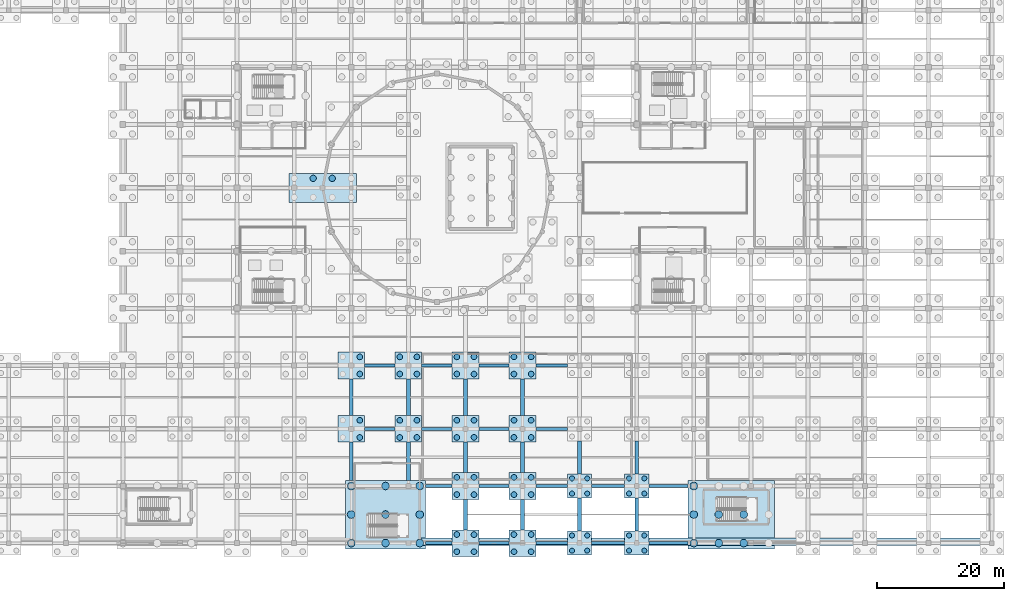
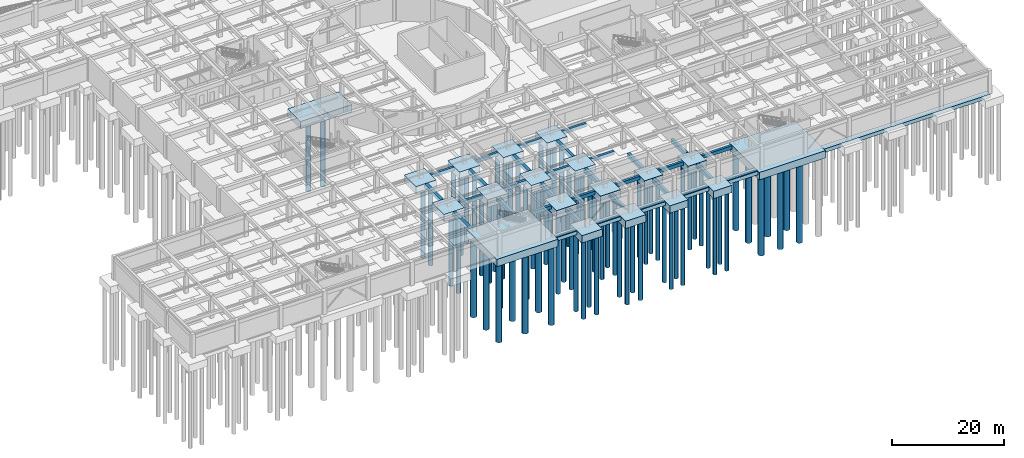
# One storey, part 3 of 62: 78 piles, 52 footings.
"""IFC4 building model written with IfcOpenShell, lengths in metres."""

from ifc_helpers import new_model, si_unit, direction, frame, origin, origin_2d, place, context, subcontext, project, spatial, polyline, rectangle, circle, outline, extrude, material, material_profile, profile_set, type_object, element, save


model = new_model("IFC4")

# Units and contexts
model_context = context("Model", 3, precision=1e-05, world=origin(), true_north=direction((0.0, 1.0)))
body_context = subcontext(model_context, "Body", "Model", "MODEL_VIEW")
ifc_project = project(units=[si_unit("LENGTHUNIT", "METRE"), si_unit("AREAUNIT", "SQUARE_METRE"), si_unit("VOLUMEUNIT", "CUBIC_METRE"), si_unit("PLANEANGLEUNIT", "RADIAN"), si_unit("MASSUNIT", "GRAM", prefix="KILO")], contexts=[model_context])

# Site, building, storey
site_placement = place(None, origin())
site = spatial("IfcSite", under=ifc_project, at=site_placement, CompositionType="ELEMENT")
building_placement = place(site_placement, origin())
building = spatial("IfcBuilding", under=site, at=building_placement, Name="Miravela Opera House", CompositionType="ELEMENT")
storey_placement = place(building_placement, frame((0.0, 0.0, -5.10009765625)))
storey = spatial("IfcBuildingStorey", under=building, at=storey_placement, Name="B01", CompositionType="ELEMENT", Elevation=-5.10009765625)

# Footings
ifc_material = material(Name="Concrete C35/45", Category="concrete")
footing_type_1 = type_object("IfcFootingType", Name="STR-GB-500X750", PredefinedType="FOOTING_BEAM", material=ifc_material)
footing_1_placement = place(storey_placement, frame((0.0, 0.0, -0.75)))
element("IfcFooting", 1, at=footing_1_placement, inside=storey, type_object=footing_type_1, Name="Seismic Grade Tie Beam GB-X-186", PredefinedType="FOOTING_BEAM", context=body_context, shape_type="SweptSolid", body=[
    extrude(outline(polyline([(74.699951171875, -0.25), (78.89990234375, -0.25), (78.89990234375, 0.25), (74.699951171875, 0.25), (74.699951171875, -0.25)])), origin(), (0.0, 0.0, 1.0), 0.75),
])
footing_2_placement = place(storey_placement, frame((0.0, 0.0, -0.75)))
element("IfcFooting", 2, at=footing_2_placement, inside=storey, type_object=footing_type_1, Name="Seismic Grade Tie Beam GB-X-187", PredefinedType="FOOTING_BEAM", context=body_context, shape_type="SweptSolid", body=[
    extrude(outline(polyline([(83.10009765625, -0.25), (87.89990234375, -0.25), (87.89990234375, 0.25), (83.10009765625, 0.25), (83.10009765625, -0.25)])), origin(), (0.0, 0.0, 1.0), 0.75),
])
footing_3_placement = place(storey_placement, frame((0.0, 0.0, -0.75)))
element("IfcFooting", 3, at=footing_3_placement, inside=storey, type_object=footing_type_1, Name="Seismic Grade Tie Beam GB-X-188", PredefinedType="FOOTING_BEAM", context=body_context, shape_type="SweptSolid", body=[
    extrude(outline(polyline([(92.10009765625, -0.25), (97.10009765625, -0.25), (97.10009765625, 0.25), (92.10009765625, 0.25), (92.10009765625, -0.25)])), origin(), (0.0, 0.0, 1.0), 0.75),
])
footing_4_placement = place(storey_placement, frame((0.0, 0.0, -0.75)))
element("IfcFooting", 4, at=footing_4_placement, inside=storey, type_object=footing_type_1, Name="Seismic Grade Tie Beam GB-X-189", PredefinedType="FOOTING_BEAM", context=body_context, shape_type="SweptSolid", body=[
    extrude(outline(polyline([(100.89990234375, -0.25), (106.10009765625, -0.25), (106.10009765625, 0.25), (100.89990234375, 0.25), (100.89990234375, -0.25)])), origin(), (0.0, 0.0, 1.0), 0.75),
])
footing_5_placement = place(storey_placement, frame((0.0, 0.0, -0.75)))
element("IfcFooting", 5, at=footing_5_placement, inside=storey, type_object=footing_type_1, Name="Seismic Grade Tie Beam GB-X-190", PredefinedType="FOOTING_BEAM", context=body_context, shape_type="SweptSolid", body=[
    extrude(outline(polyline([(109.89990234375, -0.25), (116.10009765625, -0.25), (116.10009765625, 0.25), (109.89990234375, 0.25), (109.89990234375, -0.25)])), origin(), (0.0, 0.0, 1.0), 0.75),
])
footing_6_placement = place(storey_placement, frame((0.0, 0.0, -0.75)))
element("IfcFooting", 6, at=footing_6_placement, inside=storey, type_object=footing_type_1, Name="Seismic Grade Tie Beam GB-X-201", PredefinedType="FOOTING_BEAM", context=body_context, shape_type="SweptSolid", body=[
    extrude(outline(polyline([(74.699951171875, 8.75), (78.89990234375, 8.75), (78.89990234375, 9.25), (74.699951171875, 9.25), (74.699951171875, 8.75)])), origin(), (0.0, 0.0, 1.0), 0.75),
])
footing_7_placement = place(storey_placement, frame((0.0, 0.0, -0.75)))
element("IfcFooting", 7, at=footing_7_placement, inside=storey, type_object=footing_type_1, Name="Seismic Grade Tie Beam GB-X-202", PredefinedType="FOOTING_BEAM", context=body_context, shape_type="SweptSolid", body=[
    extrude(outline(polyline([(83.10009765625, 8.75), (87.89990234375, 8.75), (87.89990234375, 9.25), (83.10009765625, 9.25), (83.10009765625, 8.75)])), origin(), (0.0, 0.0, 1.0), 0.75),
])
footing_8_placement = place(storey_placement, frame((0.0, 0.0, -0.75)))
element("IfcFooting", 8, at=footing_8_placement, inside=storey, type_object=footing_type_1, Name="Seismic Grade Tie Beam GB-X-203", PredefinedType="FOOTING_BEAM", context=body_context, shape_type="SweptSolid", body=[
    extrude(outline(polyline([(92.10009765625, 8.75), (97.10009765625, 8.75), (97.10009765625, 9.25), (92.10009765625, 9.25), (92.10009765625, 8.75)])), origin(), (0.0, 0.0, 1.0), 0.75),
])
footing_9_placement = place(storey_placement, frame((0.0, 0.0, -0.75)))
element("IfcFooting", 9, at=footing_9_placement, inside=storey, type_object=footing_type_1, Name="Seismic Grade Tie Beam GB-X-204", PredefinedType="FOOTING_BEAM", context=body_context, shape_type="SweptSolid", body=[
    extrude(outline(polyline([(100.89990234375, 8.75), (106.10009765625, 8.75), (106.10009765625, 9.25), (100.89990234375, 9.25), (100.89990234375, 8.75)])), origin(), (0.0, 0.0, 1.0), 0.75),
])
footing_10_placement = place(storey_placement, frame((0.0, 0.0, -0.75)))
element("IfcFooting", 10, at=footing_10_placement, inside=storey, type_object=footing_type_1, Name="Seismic Grade Tie Beam GB-X-205", PredefinedType="FOOTING_BEAM", context=body_context, shape_type="SweptSolid", body=[
    extrude(outline(polyline([(109.89990234375, 8.75), (116.10009765625, 8.75), (116.10009765625, 9.25), (109.89990234375, 9.25), (109.89990234375, 8.75)])), origin(), (0.0, 0.0, 1.0), 0.75),
])
footing_11_placement = place(storey_placement, frame((0.0, 0.0, -0.75)))
element("IfcFooting", 11, at=footing_11_placement, inside=storey, type_object=footing_type_1, Name="Seismic Grade Tie Beam GB-X-217", PredefinedType="FOOTING_BEAM", context=body_context, shape_type="SweptSolid", body=[
    extrude(outline(polyline([(65.10009765625, 17.75), (69.89990234375, 17.75), (69.89990234375, 18.25), (65.10009765625, 18.25), (65.10009765625, 17.75)])), origin(), (0.0, 0.0, 1.0), 0.75),
])
footing_12_placement = place(storey_placement, frame((0.0, 0.0, -0.75)))
element("IfcFooting", 12, at=footing_12_placement, inside=storey, type_object=footing_type_1, Name="Seismic Grade Tie Beam GB-X-218", PredefinedType="FOOTING_BEAM", context=body_context, shape_type="SweptSolid", body=[
    extrude(outline(polyline([(74.10009765625, 17.75), (78.89990234375, 17.75), (78.89990234375, 18.25), (74.10009765625, 18.25), (74.10009765625, 17.75)])), origin(), (0.0, 0.0, 1.0), 0.75),
])
footing_13_placement = place(storey_placement, frame((0.0, 0.0, -0.75)))
element("IfcFooting", 13, at=footing_13_placement, inside=storey, type_object=footing_type_1, Name="Seismic Grade Tie Beam GB-X-219", PredefinedType="FOOTING_BEAM", context=body_context, shape_type="SweptSolid", body=[
    extrude(outline(polyline([(83.10009765625, 17.75), (87.89990234375, 17.75), (87.89990234375, 18.25), (83.10009765625, 18.25), (83.10009765625, 17.75)])), origin(), (0.0, 0.0, 1.0), 0.75),
])
footing_14_placement = place(storey_placement, frame((0.0, 0.0, -0.75)))
element("IfcFooting", 14, at=footing_14_placement, inside=storey, type_object=footing_type_1, Name="Seismic Grade Tie Beam GB-X-220", PredefinedType="FOOTING_BEAM", context=body_context, shape_type="SweptSolid", body=[
    extrude(outline(polyline([(92.10009765625, 17.75), (97.10009765625, 17.75), (97.10009765625, 18.25), (92.10009765625, 18.25), (92.10009765625, 17.75)])), origin(), (0.0, 0.0, 1.0), 0.75),
])
footing_15_placement = place(storey_placement, frame((0.0, 0.0, -0.75)))
element("IfcFooting", 15, at=footing_15_placement, inside=storey, type_object=footing_type_1, Name="Seismic Grade Tie Beam GB-X-235", PredefinedType="FOOTING_BEAM", context=body_context, shape_type="SweptSolid", body=[
    extrude(outline(polyline([(65.10009765625, 27.75), (69.89990234375, 27.75), (69.89990234375, 28.25), (65.10009765625, 28.25), (65.10009765625, 27.75)])), origin(), (0.0, 0.0, 1.0), 0.75),
])
footing_16_placement = place(storey_placement, frame((0.0, 0.0, -0.75)))
element("IfcFooting", 16, at=footing_16_placement, inside=storey, type_object=footing_type_1, Name="Seismic Grade Tie Beam GB-X-236", PredefinedType="FOOTING_BEAM", context=body_context, shape_type="SweptSolid", body=[
    extrude(outline(polyline([(74.10009765625, 27.75), (78.89990234375, 27.75), (78.89990234375, 28.25), (74.10009765625, 28.25), (74.10009765625, 27.75)])), origin(), (0.0, 0.0, 1.0), 0.75),
])
footing_17_placement = place(storey_placement, frame((0.0, 0.0, -0.75)))
element("IfcFooting", 17, at=footing_17_placement, inside=storey, type_object=footing_type_1, Name="Seismic Grade Tie Beam GB-X-237", PredefinedType="FOOTING_BEAM", context=body_context, shape_type="SweptSolid", body=[
    extrude(outline(polyline([(83.10009765625, 27.75), (87.89990234375, 27.75), (87.89990234375, 28.25), (83.10009765625, 28.25), (83.10009765625, 27.75)])), origin(), (0.0, 0.0, 1.0), 0.75),
])
footing_18_placement = place(storey_placement, frame((0.0, 0.0, -0.75)))
element("IfcFooting", 18, at=footing_18_placement, inside=storey, type_object=footing_type_1, Name="Seismic Grade Tie Beam GB-X-238", PredefinedType="FOOTING_BEAM", context=body_context, shape_type="SweptSolid", body=[
    extrude(outline(polyline([(92.10009765625, 27.75), (97.10009765625, 27.75), (97.10009765625, 28.25), (92.10009765625, 28.25), (92.10009765625, 27.75)])), origin(), (0.0, 0.0, 1.0), 0.75),
])
footing_type_2 = type_object("IfcFootingType", Name="STR-GB-600X800", PredefinedType="FOOTING_BEAM", material=ifc_material)
footing_19_placement = place(storey_placement, frame((0.0, 0.0, -0.7998046875)))
element("IfcFooting", 19, at=footing_19_placement, inside=storey, type_object=footing_type_2, Name="Seismic Grade Tie Beam GB-Y-061", PredefinedType="FOOTING_BEAM", context=body_context, shape_type="SweptSolid", body=[
    extrude(outline(polyline([(62.699951171875, 9.89990234375), (63.300048828125, 9.89990234375), (63.300048828125, 15.89990234375), (62.699951171875, 15.89990234375), (62.699951171875, 9.89990234375)])), origin(), (0.0, 0.0, 1.0), 0.7998046875),
])
footing_20_placement = place(storey_placement, frame((0.0, 0.0, -0.7998046875)))
element("IfcFooting", 20, at=footing_20_placement, inside=storey, type_object=footing_type_2, Name="Seismic Grade Tie Beam GB-Y-062", PredefinedType="FOOTING_BEAM", context=body_context, shape_type="SweptSolid", body=[
    extrude(outline(polyline([(62.699951171875, 20.10009765625), (63.300048828125, 20.10009765625), (63.300048828125, 25.89990234375), (62.699951171875, 25.89990234375), (62.699951171875, 20.10009765625)])), origin(), (0.0, 0.0, 1.0), 0.7998046875),
])
footing_21_placement = place(storey_placement, frame((0.0, 0.0, -0.7998046875)))
element("IfcFooting", 21, at=footing_21_placement, inside=storey, type_object=footing_type_2, Name="Seismic Grade Tie Beam GB-Y-071", PredefinedType="FOOTING_BEAM", context=body_context, shape_type="SweptSolid", body=[
    extrude(outline(polyline([(71.699951171875, 9.89990234375), (72.300048828125, 9.89990234375), (72.300048828125, 15.89990234375), (71.699951171875, 15.89990234375), (71.699951171875, 9.89990234375)])), origin(), (0.0, 0.0, 1.0), 0.7998046875),
])
footing_22_placement = place(storey_placement, frame((0.0, 0.0, -0.7998046875)))
element("IfcFooting", 22, at=footing_22_placement, inside=storey, type_object=footing_type_2, Name="Seismic Grade Tie Beam GB-Y-072", PredefinedType="FOOTING_BEAM", context=body_context, shape_type="SweptSolid", body=[
    extrude(outline(polyline([(71.699951171875, 20.10009765625), (72.300048828125, 20.10009765625), (72.300048828125, 25.89990234375), (71.699951171875, 25.89990234375), (71.699951171875, 20.10009765625)])), origin(), (0.0, 0.0, 1.0), 0.7998046875),
])
footing_23_placement = place(storey_placement, frame((0.0, 0.0, -0.7998046875)))
element("IfcFooting", 23, at=footing_23_placement, inside=storey, type_object=footing_type_2, Name="Seismic Grade Tie Beam GB-Y-081", PredefinedType="FOOTING_BEAM", context=body_context, shape_type="SweptSolid", body=[
    extrude(outline(polyline([(80.699951171875, 2.10009765625), (81.300048828125, 2.10009765625), (81.300048828125, 6.89990234375), (80.699951171875, 6.89990234375), (80.699951171875, 2.10009765625)])), origin(), (0.0, 0.0, 1.0), 0.7998046875),
])
footing_24_placement = place(storey_placement, frame((0.0, 0.0, -0.7998046875)))
element("IfcFooting", 24, at=footing_24_placement, inside=storey, type_object=footing_type_2, Name="Seismic Grade Tie Beam GB-Y-082", PredefinedType="FOOTING_BEAM", context=body_context, shape_type="SweptSolid", body=[
    extrude(outline(polyline([(80.699951171875, 11.10009765625), (81.300048828125, 11.10009765625), (81.300048828125, 15.89990234375), (80.699951171875, 15.89990234375), (80.699951171875, 11.10009765625)])), origin(), (0.0, 0.0, 1.0), 0.7998046875),
])
footing_25_placement = place(storey_placement, frame((0.0, 0.0, -0.7998046875)))
element("IfcFooting", 25, at=footing_25_placement, inside=storey, type_object=footing_type_2, Name="Seismic Grade Tie Beam GB-Y-083", PredefinedType="FOOTING_BEAM", context=body_context, shape_type="SweptSolid", body=[
    extrude(outline(polyline([(80.699951171875, 20.10009765625), (81.300048828125, 20.10009765625), (81.300048828125, 25.89990234375), (80.699951171875, 25.89990234375), (80.699951171875, 20.10009765625)])), origin(), (0.0, 0.0, 1.0), 0.7998046875),
])
footing_26_placement = place(storey_placement, frame((0.0, 0.0, -0.7998046875)))
element("IfcFooting", 26, at=footing_26_placement, inside=storey, type_object=footing_type_2, Name="Seismic Grade Tie Beam GB-Y-088", PredefinedType="FOOTING_BEAM", context=body_context, shape_type="SweptSolid", body=[
    extrude(outline(polyline([(89.699951171875, 2.10009765625), (90.300048828125, 2.10009765625), (90.300048828125, 6.89990234375), (89.699951171875, 6.89990234375), (89.699951171875, 2.10009765625)])), origin(), (0.0, 0.0, 1.0), 0.7998046875),
])
footing_27_placement = place(storey_placement, frame((0.0, 0.0, -0.7998046875)))
element("IfcFooting", 27, at=footing_27_placement, inside=storey, type_object=footing_type_2, Name="Seismic Grade Tie Beam GB-Y-089", PredefinedType="FOOTING_BEAM", context=body_context, shape_type="SweptSolid", body=[
    extrude(outline(polyline([(89.699951171875, 11.10009765625), (90.300048828125, 11.10009765625), (90.300048828125, 15.89990234375), (89.699951171875, 15.89990234375), (89.699951171875, 11.10009765625)])), origin(), (0.0, 0.0, 1.0), 0.7998046875),
])
footing_28_placement = place(storey_placement, frame((0.0, 0.0, -0.7998046875)))
element("IfcFooting", 28, at=footing_28_placement, inside=storey, type_object=footing_type_2, Name="Seismic Grade Tie Beam GB-Y-090", PredefinedType="FOOTING_BEAM", context=body_context, shape_type="SweptSolid", body=[
    extrude(outline(polyline([(89.699951171875, 20.10009765625), (90.300048828125, 20.10009765625), (90.300048828125, 25.89990234375), (89.699951171875, 25.89990234375), (89.699951171875, 20.10009765625)])), origin(), (0.0, 0.0, 1.0), 0.7998046875),
])
footing_29_placement = place(storey_placement, frame((0.0, 0.0, -0.7998046875)))
element("IfcFooting", 29, at=footing_29_placement, inside=storey, type_object=footing_type_2, Name="Seismic Grade Tie Beam GB-Y-098", PredefinedType="FOOTING_BEAM", context=body_context, shape_type="SweptSolid", body=[
    extrude(outline(polyline([(98.699951171875, 1.89990234375), (99.300048828125, 1.89990234375), (99.300048828125, 7.10009765625), (98.699951171875, 7.10009765625), (98.699951171875, 1.89990234375)])), origin(), (0.0, 0.0, 1.0), 0.7998046875),
])
footing_30_placement = place(storey_placement, frame((0.0, 0.0, -0.7998046875)))
element("IfcFooting", 30, at=footing_30_placement, inside=storey, type_object=footing_type_2, Name="Seismic Grade Tie Beam GB-Y-099", PredefinedType="FOOTING_BEAM", context=body_context, shape_type="SweptSolid", body=[
    extrude(outline(polyline([(98.699951171875, 10.89990234375), (99.300048828125, 10.89990234375), (99.300048828125, 16.10009765625), (98.699951171875, 16.10009765625), (98.699951171875, 10.89990234375)])), origin(), (0.0, 0.0, 1.0), 0.7998046875),
])
footing_31_placement = place(storey_placement, frame((0.0, 0.0, -0.7998046875)))
element("IfcFooting", 31, at=footing_31_placement, inside=storey, type_object=footing_type_2, Name="Seismic Grade Tie Beam GB-Y-110", PredefinedType="FOOTING_BEAM", context=body_context, shape_type="SweptSolid", body=[
    extrude(outline(polyline([(107.699951171875, 1.89990234375), (108.300048828125, 1.89990234375), (108.300048828125, 7.10009765625), (107.699951171875, 7.10009765625), (107.699951171875, 1.89990234375)])), origin(), (0.0, 0.0, 1.0), 0.7998046875),
])
footing_32_placement = place(storey_placement, frame((0.0, 0.0, -0.7998046875)))
element("IfcFooting", 32, at=footing_32_placement, inside=storey, type_object=footing_type_2, Name="Seismic Grade Tie Beam GB-Y-111", PredefinedType="FOOTING_BEAM", context=body_context, shape_type="SweptSolid", body=[
    extrude(outline(polyline([(107.699951171875, 10.89990234375), (108.300048828125, 10.89990234375), (108.300048828125, 16.10009765625), (107.699951171875, 16.10009765625), (107.699951171875, 10.89990234375)])), origin(), (0.0, 0.0, 1.0), 0.7998046875),
])
footing_type_3 = type_object("IfcFootingType", Name="STR-PC-10600X4600X1600", PredefinedType="PILE_CAP", material=ifc_material)
footing_33_placement = place(storey_placement, frame((58.5, 56.0, -1.599853515625), z_axis=(0.0, 0.0, 1.0), x_axis=(1.0, 0.0, 0.0)))
element("IfcFooting", 33, at=footing_33_placement, inside=storey, type_object=footing_type_3, Name="Pile Cap PC-B01-063 (PC-05)", PredefinedType="PILE_CAP", context=body_context, shape_type="SweptSolid", body=[
    extrude(rectangle(XDim=10.60009765625, YDim=4.60009765625, at=origin_2d()), origin(), (0.0, 0.0, 1.0), 1.60009765625),
])
footing_type_4 = type_object("IfcFootingType", Name="STR-PC-12600X10800X1600", PredefinedType="PILE_CAP", material=ifc_material)
footing_34_placement = place(storey_placement, frame((68.39990234375, 4.5, -1.599853515625), z_axis=(0.0, 0.0, 1.0), x_axis=(1.0, 0.0, 0.0)))
element("IfcFooting", 34, at=footing_34_placement, inside=storey, type_object=footing_type_4, Name="Pile Cap PC-B01-068 (PC-03)", PredefinedType="PILE_CAP", context=body_context, shape_type="SweptSolid", body=[
    extrude(rectangle(XDim=12.60009765625, YDim=10.800048828125, at=origin_2d()), origin(), (0.0, 0.0, 1.0), 1.60009765625),
])
footing_type_5 = type_object("IfcFootingType", Name="STR-PC-13600X10800X1600", PredefinedType="PILE_CAP", material=ifc_material)
footing_35_placement = place(storey_placement, frame((122.89990234375, 4.5, -1.599853515625), z_axis=(0.0, 0.0, 1.0), x_axis=(1.0, 0.0, 0.0)))
element("IfcFooting", 35, at=footing_35_placement, inside=storey, type_object=footing_type_5, Name="Pile Cap PC-B01-134 (PC-09)", PredefinedType="PILE_CAP", context=body_context, shape_type="SweptSolid", body=[
    extrude(rectangle(XDim=13.60009765625, YDim=10.800048828125, at=origin_2d()), origin(), (0.0, 0.0, 1.0), 1.60009765625),
])
footing_type_6 = type_object("IfcFootingType", Name="STR-PC-3800X3800X1600", PredefinedType="PILE_CAP", material=ifc_material)
for number, where, z_axis, x_axis, name in (
    (36, (99.0, 0.0, -1.599853515625), (0.0, 0.0, 1.0), (1.0, 0.0, 0.0), "Pile Cap PC-B01-111 (PC-01)"),
    (37, (99.0, 9.0, -1.599853515625), (0.0, 0.0, 1.0), (1.0, 0.0, 0.0), "Pile Cap PC-B01-112 (PC-01)"),
    (38, (108.0, 0.0, -1.599853515625), (0.0, 0.0, 1.0), (1.0, 0.0, 0.0), "Pile Cap PC-B01-124 (PC-01)"),
    (39, (108.0, 9.0, -1.599853515625), (0.0, 0.0, 1.0), (1.0, 0.0, 0.0), "Pile Cap PC-B01-125 (PC-01)"),
):
    element("IfcFooting", number, at=place(storey_placement, frame(where, z_axis=z_axis, x_axis=x_axis)), inside=storey, type_object=footing_type_6, Name=name, PredefinedType="PILE_CAP", context=body_context, shape_type="SweptSolid", body=[
        extrude(rectangle(XDim=3.800048828125, YDim=3.800048828125, at=origin_2d()), origin(), (0.0, 0.0, 1.0), 1.60009765625),
    ])
footing_type_7 = type_object("IfcFootingType", Name="STR-PC-4200X4200X1600", PredefinedType="PILE_CAP", material=ifc_material)
for number, where, z_axis, x_axis, name in (
    (40, (63.0, 18.0, -1.599853515625), (0.0, 0.0, 1.0), (1.0, 0.0, 0.0), "Pile Cap PC-B01-069 (PC-02)"),
    (41, (63.0, 28.0, -1.599853515625), (0.0, 0.0, 1.0), (1.0, 0.0, 0.0), "Pile Cap PC-B01-070 (PC-02)"),
    (42, (72.0, 18.0, -1.599853515625), (0.0, 0.0, 1.0), (1.0, 0.0, 0.0), "Pile Cap PC-B01-077 (PC-02)"),
    (43, (72.0, 28.0, -1.599853515625), (0.0, 0.0, 1.0), (1.0, 0.0, 0.0), "Pile Cap PC-B01-078 (PC-02)"),
    (44, (81.0, 0.0, -1.599853515625), (0.0, 0.0, 1.0), (1.0, 0.0, 0.0), "Pile Cap PC-B01-088 (PC-02)"),
    (45, (81.0, 9.0, -1.599853515625), (0.0, 0.0, 1.0), (1.0, 0.0, 0.0), "Pile Cap PC-B01-089 (PC-02)"),
    (46, (81.0, 18.0, -1.599853515625), (0.0, 0.0, 1.0), (1.0, 0.0, 0.0), "Pile Cap PC-B01-090 (PC-02)"),
    (47, (81.0, 28.0, -1.599853515625), (0.0, 0.0, 1.0), (1.0, 0.0, 0.0), "Pile Cap PC-B01-091 (PC-02)"),
    (48, (90.0, 0.0, -1.599853515625), (0.0, 0.0, 1.0), (1.0, 0.0, 0.0), "Pile Cap PC-B01-099 (PC-02)"),
    (49, (90.0, 9.0, -1.599853515625), (0.0, 0.0, 1.0), (1.0, 0.0, 0.0), "Pile Cap PC-B01-100 (PC-02)"),
    (50, (90.0, 18.0, -1.599853515625), (0.0, 0.0, 1.0), (1.0, 0.0, 0.0), "Pile Cap PC-B01-101 (PC-02)"),
    (51, (90.0, 28.0, -1.599853515625), (0.0, 0.0, 1.0), (1.0, 0.0, 0.0), "Pile Cap PC-B01-102 (PC-02)"),
):
    element("IfcFooting", number, at=place(storey_placement, frame(where, z_axis=z_axis, x_axis=x_axis)), inside=storey, type_object=footing_type_7, Name=name, PredefinedType="PILE_CAP", context=body_context, shape_type="SweptSolid", body=[
        extrude(rectangle(XDim=4.199951171875, YDim=4.199951171875, at=origin_2d()), origin(), (0.0, 0.0, 1.0), 1.60009765625),
    ])

# Piles
ifc_material_profile_1 = material_profile(ifc_material, circle(Radius=0.5, at=origin_2d()), Name="PILE-D1000")
ifc_profile_set_1 = profile_set([ifc_material_profile_1])
pile_type_1 = type_object("IfcPileType", Name="STR-PILE-D1000", PredefinedType="BORED", material=ifc_profile_set_1)
for number, where, z_axis, x_axis, name in (
    (52, (57.0, 57.5, -1.449951171875), (0.0, 0.0, -1.0), (1.0, 0.0, 0.0), "Bored Pile P-267"),
    (53, (60.0, 57.5, -1.449951171875), (0.0, 0.0, -1.0), (1.0, 0.0, 0.0), "Bored Pile P-269"),
):
    element("IfcPile", number, at=place(storey_placement, frame(where, z_axis=z_axis, x_axis=x_axis)), inside=storey, type_object=pile_type_1, Name=name, PredefinedType="BORED", context=body_context, shape_type="SweptSolid", body=[
        extrude(circle(Radius=0.5, at=origin_2d()), origin(), (0.0, 0.0, 1.0), 17.14990234375),
    ])
ifc_material_profile_2 = material_profile(ifc_material, circle(Radius=0.60009765625, at=origin_2d()), Name="PILE-D1200")
ifc_profile_set_2 = profile_set([ifc_material_profile_2])
pile_type_2 = type_object("IfcPileType", Name="STR-PILE-D1200", PredefinedType="BORED", material=ifc_profile_set_2)
for number, where, z_axis, x_axis, name in (
    (54, (63.0, 0.0, -1.449951171875), (0.0, 0.0, -1.0), (1.0, 0.0, 0.0), "Bored Pile P-288"),
    (55, (63.0, 4.5, -1.449951171875), (0.0, 0.0, -1.0), (1.0, 0.0, 0.0), "Bored Pile P-289"),
    (56, (63.0, 9.0, -1.449951171875), (0.0, 0.0, -1.0), (1.0, 0.0, 0.0), "Bored Pile P-290"),
    (57, (68.39990234375, 0.0, -1.449951171875), (0.0, 0.0, -1.0), (1.0, 0.0, 0.0), "Bored Pile P-291"),
    (58, (68.39990234375, 4.5, -1.449951171875), (0.0, 0.0, -1.0), (1.0, 0.0, 0.0), "Bored Pile P-292"),
    (59, (68.39990234375, 9.0, -1.449951171875), (0.0, 0.0, -1.0), (1.0, 0.0, 0.0), "Bored Pile P-293"),
    (60, (73.800048828125, 0.0, -1.449951171875), (0.0, 0.0, -1.0), (1.0, 0.0, 0.0), "Bored Pile P-294"),
    (61, (73.800048828125, 4.5, -1.449951171875), (0.0, 0.0, -1.0), (1.0, 0.0, 0.0), "Bored Pile P-295"),
    (62, (73.800048828125, 9.0, -1.449951171875), (0.0, 0.0, -1.0), (1.0, 0.0, 0.0), "Bored Pile P-296"),
    (63, (117.0, 0.0, -1.449951171875), (0.0, 0.0, -1.0), (1.0, 0.0, 0.0), "Bored Pile P-584"),
    (64, (117.0, 4.5, -1.449951171875), (0.0, 0.0, -1.0), (1.0, 0.0, 0.0), "Bored Pile P-585"),
    (65, (117.0, 9.0, -1.449951171875), (0.0, 0.0, -1.0), (1.0, 0.0, 0.0), "Bored Pile P-586"),
    (66, (120.933349609375, 0.0, -1.449951171875), (0.0, 0.0, -1.0), (1.0, 0.0, 0.0), "Bored Pile P-587"),
    (67, (120.933349609375, 4.5, -1.449951171875), (0.0, 0.0, -1.0), (1.0, 0.0, 0.0), "Bored Pile P-588"),
    (68, (124.86669921875, 0.0, -1.449951171875), (0.0, 0.0, -1.0), (1.0, 0.0, 0.0), "Bored Pile P-590"),
    (69, (124.86669921875, 4.5, -1.449951171875), (0.0, 0.0, -1.0), (1.0, 0.0, 0.0), "Bored Pile P-591"),
):
    element("IfcPile", number, at=place(storey_placement, frame(where, z_axis=z_axis, x_axis=x_axis)), inside=storey, type_object=pile_type_2, Name=name, PredefinedType="BORED", context=body_context, shape_type="SweptSolid", body=[
        extrude(circle(Radius=0.60009765625, at=origin_2d()), origin(), (0.0, 0.0, 1.0), 17.14990234375),
    ])
ifc_material_profile_3 = material_profile(ifc_material, circle(Radius=0.39990234375, at=origin_2d()), Name="PILE-D800")
ifc_profile_set_3 = profile_set([ifc_material_profile_3])
pile_type_3 = type_object("IfcPileType", Name="STR-PILE-D800", PredefinedType="BORED", material=ifc_profile_set_3)
for number, where, z_axis, x_axis, name in (
    (70, (97.800048828125, -1.199951171875, -1.449951171875), (0.0, 0.0, -1.0), (1.0, 0.0, 0.0), "Bored Pile P-482"),
    (71, (97.800048828125, 1.199951171875, -1.449951171875), (0.0, 0.0, -1.0), (1.0, 0.0, 0.0), "Bored Pile P-483"),
    (72, (100.199951171875, -1.199951171875, -1.449951171875), (0.0, 0.0, -1.0), (1.0, 0.0, 0.0), "Bored Pile P-484"),
    (73, (100.199951171875, 1.199951171875, -1.449951171875), (0.0, 0.0, -1.0), (1.0, 0.0, 0.0), "Bored Pile P-485"),
    (74, (97.800048828125, 7.800048828125, -1.449951171875), (0.0, 0.0, -1.0), (1.0, 0.0, 0.0), "Bored Pile P-486"),
    (75, (97.800048828125, 10.199951171875, -1.449951171875), (0.0, 0.0, -1.0), (1.0, 0.0, 0.0), "Bored Pile P-487"),
    (76, (100.199951171875, 7.800048828125, -1.449951171875), (0.0, 0.0, -1.0), (1.0, 0.0, 0.0), "Bored Pile P-488"),
    (77, (100.199951171875, 10.199951171875, -1.449951171875), (0.0, 0.0, -1.0), (1.0, 0.0, 0.0), "Bored Pile P-489"),
    (78, (106.800048828125, -1.199951171875, -1.449951171875), (0.0, 0.0, -1.0), (1.0, 0.0, 0.0), "Bored Pile P-534"),
    (79, (106.800048828125, 1.199951171875, -1.449951171875), (0.0, 0.0, -1.0), (1.0, 0.0, 0.0), "Bored Pile P-535"),
    (80, (109.199951171875, -1.199951171875, -1.449951171875), (0.0, 0.0, -1.0), (1.0, 0.0, 0.0), "Bored Pile P-536"),
    (81, (109.199951171875, 1.199951171875, -1.449951171875), (0.0, 0.0, -1.0), (1.0, 0.0, 0.0), "Bored Pile P-537"),
    (82, (106.800048828125, 7.800048828125, -1.449951171875), (0.0, 0.0, -1.0), (1.0, 0.0, 0.0), "Bored Pile P-538"),
    (83, (106.800048828125, 10.199951171875, -1.449951171875), (0.0, 0.0, -1.0), (1.0, 0.0, 0.0), "Bored Pile P-539"),
    (84, (109.199951171875, 7.800048828125, -1.449951171875), (0.0, 0.0, -1.0), (1.0, 0.0, 0.0), "Bored Pile P-540"),
    (85, (109.199951171875, 10.199951171875, -1.449951171875), (0.0, 0.0, -1.0), (1.0, 0.0, 0.0), "Bored Pile P-541"),
):
    element("IfcPile", number, at=place(storey_placement, frame(where, z_axis=z_axis, x_axis=x_axis)), inside=storey, type_object=pile_type_3, Name=name, PredefinedType="BORED", context=body_context, shape_type="SweptSolid", body=[
        extrude(circle(Radius=0.39990234375, at=origin_2d()), origin(), (0.0, 0.0, 1.0), 17.14990234375),
    ])
ifc_material_profile_4 = material_profile(ifc_material, circle(Radius=0.449951171875, at=origin_2d()), Name="PILE-D900")
ifc_profile_set_4 = profile_set([ifc_material_profile_4])
pile_type_4 = type_object("IfcPileType", Name="STR-PILE-D900", PredefinedType="BORED", material=ifc_profile_set_4)
for number, where, z_axis, x_axis, name in (
    (86, (64.35009765625, 16.64990234375, -1.449951171875), (0.0, 0.0, -1.0), (1.0, 0.0, 0.0), "Bored Pile P-299"),
    (87, (64.35009765625, 19.35009765625, -1.449951171875), (0.0, 0.0, -1.0), (1.0, 0.0, 0.0), "Bored Pile P-300"),
    (88, (64.35009765625, 26.64990234375, -1.449951171875), (0.0, 0.0, -1.0), (1.0, 0.0, 0.0), "Bored Pile P-303"),
    (89, (64.35009765625, 29.35009765625, -1.449951171875), (0.0, 0.0, -1.0), (1.0, 0.0, 0.0), "Bored Pile P-304"),
    (90, (70.64990234375, 16.64990234375, -1.449951171875), (0.0, 0.0, -1.0), (1.0, 0.0, 0.0), "Bored Pile P-329"),
    (91, (70.64990234375, 19.35009765625, -1.449951171875), (0.0, 0.0, -1.0), (1.0, 0.0, 0.0), "Bored Pile P-330"),
    (92, (73.35009765625, 16.64990234375, -1.449951171875), (0.0, 0.0, -1.0), (1.0, 0.0, 0.0), "Bored Pile P-331"),
    (93, (73.35009765625, 19.35009765625, -1.449951171875), (0.0, 0.0, -1.0), (1.0, 0.0, 0.0), "Bored Pile P-332"),
    (94, (70.64990234375, 26.64990234375, -1.449951171875), (0.0, 0.0, -1.0), (1.0, 0.0, 0.0), "Bored Pile P-333"),
    (95, (70.64990234375, 29.35009765625, -1.449951171875), (0.0, 0.0, -1.0), (1.0, 0.0, 0.0), "Bored Pile P-334"),
    (96, (73.35009765625, 26.64990234375, -1.449951171875), (0.0, 0.0, -1.0), (1.0, 0.0, 0.0), "Bored Pile P-335"),
    (97, (73.35009765625, 29.35009765625, -1.449951171875), (0.0, 0.0, -1.0), (1.0, 0.0, 0.0), "Bored Pile P-336"),
    (98, (79.64990234375, -1.35009765625, -1.449951171875), (0.0, 0.0, -1.0), (1.0, 0.0, 0.0), "Bored Pile P-373"),
    (99, (79.64990234375, 1.35009765625, -1.449951171875), (0.0, 0.0, -1.0), (1.0, 0.0, 0.0), "Bored Pile P-374"),
    (100, (82.35009765625, -1.35009765625, -1.449951171875), (0.0, 0.0, -1.0), (1.0, 0.0, 0.0), "Bored Pile P-375"),
    (101, (82.35009765625, 1.35009765625, -1.449951171875), (0.0, 0.0, -1.0), (1.0, 0.0, 0.0), "Bored Pile P-376"),
    (102, (79.64990234375, 7.64990234375, -1.449951171875), (0.0, 0.0, -1.0), (1.0, 0.0, 0.0), "Bored Pile P-377"),
    (103, (79.64990234375, 10.35009765625, -1.449951171875), (0.0, 0.0, -1.0), (1.0, 0.0, 0.0), "Bored Pile P-378"),
    (104, (82.35009765625, 7.64990234375, -1.449951171875), (0.0, 0.0, -1.0), (1.0, 0.0, 0.0), "Bored Pile P-379"),
    (105, (82.35009765625, 10.35009765625, -1.449951171875), (0.0, 0.0, -1.0), (1.0, 0.0, 0.0), "Bored Pile P-380"),
    (106, (79.64990234375, 16.64990234375, -1.449951171875), (0.0, 0.0, -1.0), (1.0, 0.0, 0.0), "Bored Pile P-381"),
    (107, (79.64990234375, 19.35009765625, -1.449951171875), (0.0, 0.0, -1.0), (1.0, 0.0, 0.0), "Bored Pile P-382"),
    (108, (82.35009765625, 16.64990234375, -1.449951171875), (0.0, 0.0, -1.0), (1.0, 0.0, 0.0), "Bored Pile P-383"),
    (109, (82.35009765625, 19.35009765625, -1.449951171875), (0.0, 0.0, -1.0), (1.0, 0.0, 0.0), "Bored Pile P-384"),
    (110, (79.64990234375, 26.64990234375, -1.449951171875), (0.0, 0.0, -1.0), (1.0, 0.0, 0.0), "Bored Pile P-385"),
    (111, (79.64990234375, 29.35009765625, -1.449951171875), (0.0, 0.0, -1.0), (1.0, 0.0, 0.0), "Bored Pile P-386"),
    (112, (82.35009765625, 26.64990234375, -1.449951171875), (0.0, 0.0, -1.0), (1.0, 0.0, 0.0), "Bored Pile P-387"),
    (113, (82.35009765625, 29.35009765625, -1.449951171875), (0.0, 0.0, -1.0), (1.0, 0.0, 0.0), "Bored Pile P-388"),
    (114, (88.64990234375, -1.35009765625, -1.449951171875), (0.0, 0.0, -1.0), (1.0, 0.0, 0.0), "Bored Pile P-434"),
    (115, (88.64990234375, 1.35009765625, -1.449951171875), (0.0, 0.0, -1.0), (1.0, 0.0, 0.0), "Bored Pile P-435"),
    (116, (91.35009765625, -1.35009765625, -1.449951171875), (0.0, 0.0, -1.0), (1.0, 0.0, 0.0), "Bored Pile P-436"),
    (117, (91.35009765625, 1.35009765625, -1.449951171875), (0.0, 0.0, -1.0), (1.0, 0.0, 0.0), "Bored Pile P-437"),
    (118, (88.64990234375, 7.64990234375, -1.449951171875), (0.0, 0.0, -1.0), (1.0, 0.0, 0.0), "Bored Pile P-438"),
    (119, (88.64990234375, 10.35009765625, -1.449951171875), (0.0, 0.0, -1.0), (1.0, 0.0, 0.0), "Bored Pile P-439"),
    (120, (91.35009765625, 7.64990234375, -1.449951171875), (0.0, 0.0, -1.0), (1.0, 0.0, 0.0), "Bored Pile P-440"),
    (121, (91.35009765625, 10.35009765625, -1.449951171875), (0.0, 0.0, -1.0), (1.0, 0.0, 0.0), "Bored Pile P-441"),
    (122, (88.64990234375, 16.64990234375, -1.449951171875), (0.0, 0.0, -1.0), (1.0, 0.0, 0.0), "Bored Pile P-442"),
    (123, (88.64990234375, 19.35009765625, -1.449951171875), (0.0, 0.0, -1.0), (1.0, 0.0, 0.0), "Bored Pile P-443"),
    (124, (91.35009765625, 16.64990234375, -1.449951171875), (0.0, 0.0, -1.0), (1.0, 0.0, 0.0), "Bored Pile P-444"),
    (125, (91.35009765625, 19.35009765625, -1.449951171875), (0.0, 0.0, -1.0), (1.0, 0.0, 0.0), "Bored Pile P-445"),
    (126, (88.64990234375, 26.64990234375, -1.449951171875), (0.0, 0.0, -1.0), (1.0, 0.0, 0.0), "Bored Pile P-446"),
    (127, (88.64990234375, 29.35009765625, -1.449951171875), (0.0, 0.0, -1.0), (1.0, 0.0, 0.0), "Bored Pile P-447"),
    (128, (91.35009765625, 26.64990234375, -1.449951171875), (0.0, 0.0, -1.0), (1.0, 0.0, 0.0), "Bored Pile P-448"),
    (129, (91.35009765625, 29.35009765625, -1.449951171875), (0.0, 0.0, -1.0), (1.0, 0.0, 0.0), "Bored Pile P-449"),
):
    element("IfcPile", number, at=place(storey_placement, frame(where, z_axis=z_axis, x_axis=x_axis)), inside=storey, type_object=pile_type_4, Name=name, PredefinedType="BORED", context=body_context, shape_type="SweptSolid", body=[
        extrude(circle(Radius=0.449951171875, at=origin_2d()), origin(), (0.0, 0.0, 1.0), 17.14990234375),
    ])

# Footing
footing_type_8 = type_object("IfcFootingType", Name="STR-SF-1200X800", PredefinedType="STRIP_FOOTING", material=ifc_material)
footing_36_placement = place(storey_placement, frame((0.0, 0.0, -0.7998046875)))
element("IfcFooting", 130, at=footing_36_placement, inside=storey, type_object=footing_type_8, Name="Retaining Wall Strip Footing B01-RET-S1E", PredefinedType="STRIP_FOOTING", context=body_context, shape_type="SweptSolid", body=[
    extrude(outline(polyline([(74.0, -0.375), (164.0, -0.375), (164.0, 0.824951171875), (74.0, 0.824951171875), (74.0, -0.375)])), origin(), (0.0, 0.0, 1.0), 0.7998046875),
])

save(model, "model.ifc")
